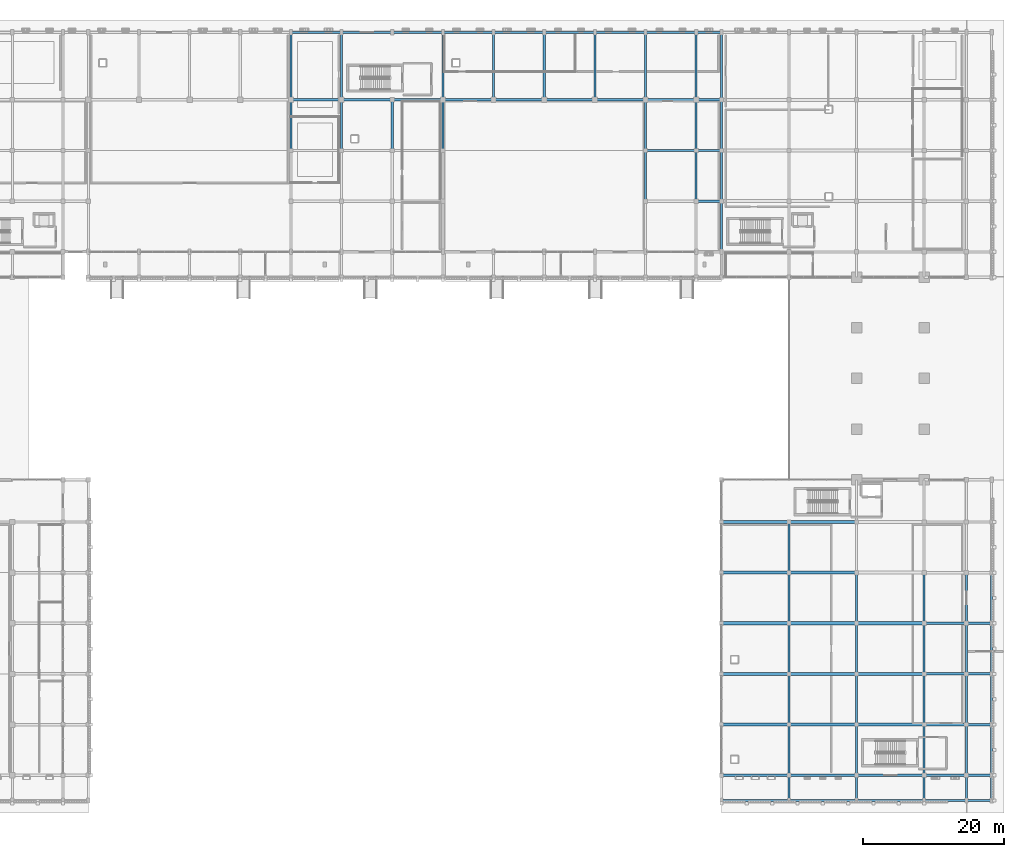
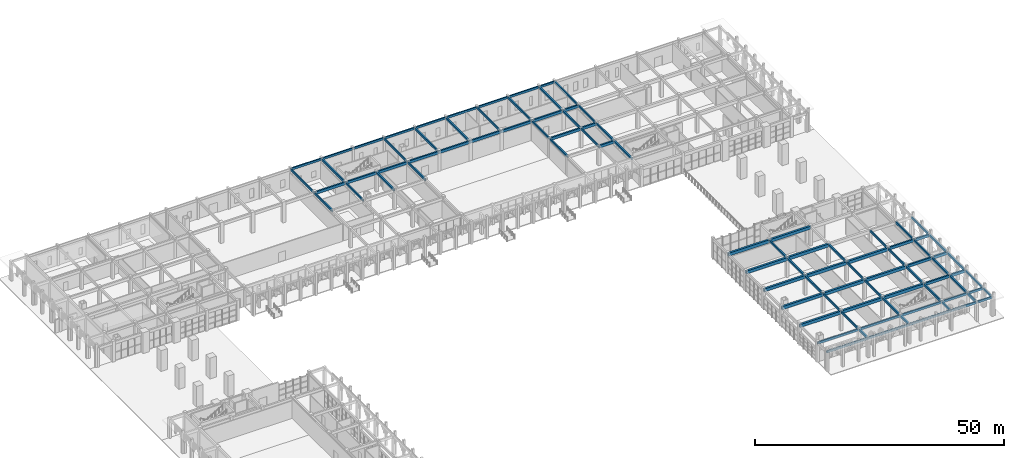
# One storey, part 18 of 72: 96 beams.
"""IFC4 building model written with IfcOpenShell, lengths in metres."""

from ifc_helpers import new_model, si_unit, direction, frame, origin, origin_2d, place, context, subcontext, project, spatial, rectangle, extrude, material, material_profile, profile_set, type_object, element, save


model = new_model("IFC4")

# Units and contexts
model_context = context("Model", 3, precision=1e-05, world=origin(), true_north=direction((0.0, 1.0)))
body_context = subcontext(model_context, "Body", "Model", "MODEL_VIEW")
ifc_project = project(units=[si_unit("LENGTHUNIT", "METRE"), si_unit("AREAUNIT", "SQUARE_METRE"), si_unit("VOLUMEUNIT", "CUBIC_METRE"), si_unit("PLANEANGLEUNIT", "RADIAN"), si_unit("MASSUNIT", "GRAM", prefix="KILO")], contexts=[model_context])

# Site, building, storey
site_placement = place(None, origin())
site = spatial("IfcSite", under=ifc_project, at=site_placement, CompositionType="ELEMENT")
building_placement = place(site_placement, origin())
building = spatial("IfcBuilding", under=site, at=building_placement, Name="Nzembalo Square Collegiate School", CompositionType="ELEMENT")
storey_placement = place(building_placement, origin())
storey = spatial("IfcBuildingStorey", under=building, at=storey_placement, Name="L00", CompositionType="ELEMENT", Elevation=0.0)

# Beams
ifc_material_1 = material(Name="Concrete C35/45", Category="concrete")
ifc_material_profile_1 = material_profile(ifc_material_1, rectangle(XDim=0.35009765625, YDim=0.64990234375, at=origin_2d()), Name="RC 350x650")
ifc_profile_set_1 = profile_set([ifc_material_profile_1], Name="Concrete C35/45")
beam_type_1 = type_object("IfcBeamType", Name="B01", PredefinedType="BEAM", material=ifc_profile_set_1)
beam_1_placement = place(storey_placement, frame((159.60009765625, 15.60009765625, 4.465087890625), z_axis=(1.0, 0.0, 0.0), x_axis=(0.0, 1.0, 0.0)))
element("IfcBeam", 1, at=beam_1_placement, inside=storey, type_object=beam_type_1, Name="Beam B01 L00", PredefinedType="BEAM", context=body_context, shape_type="SweptSolid", body=[
    extrude(rectangle(XDim=0.35009765625, YDim=0.64990234375, at=origin_2d()), origin(), (0.0, 0.0, 1.0), 6.0),
])
beam_2_placement = place(storey_placement, frame((165.60009765625, 15.60009765625, 4.465087890625), z_axis=(1.0, 0.0, 0.0), x_axis=(0.0, 1.0, 0.0)))
element("IfcBeam", 2, at=beam_2_placement, inside=storey, type_object=beam_type_1, Name="Beam B01 L00", PredefinedType="BEAM", context=body_context, shape_type="SweptSolid", body=[
    extrude(rectangle(XDim=0.35009765625, YDim=0.64990234375, at=origin_2d()), origin(), (0.0, 0.0, 1.0), 3.599853515625),
])
beam_3_placement = place(storey_placement, frame((159.60009765625, 22.800048828125, 4.465087890625), z_axis=(1.0, 0.0, 0.0), x_axis=(0.0, 1.0, 0.0)))
element("IfcBeam", 3, at=beam_3_placement, inside=storey, type_object=beam_type_1, Name="Beam B01 L00", PredefinedType="BEAM", context=body_context, shape_type="SweptSolid", body=[
    extrude(rectangle(XDim=0.35009765625, YDim=0.64990234375, at=origin_2d()), origin(), (0.0, 0.0, 1.0), 6.0),
])
beam_4_placement = place(storey_placement, frame((165.60009765625, 22.800048828125, 4.465087890625), z_axis=(1.0, 0.0, 0.0), x_axis=(0.0, 1.0, 0.0)))
element("IfcBeam", 4, at=beam_4_placement, inside=storey, type_object=beam_type_1, Name="Beam B01 L00", PredefinedType="BEAM", context=body_context, shape_type="SweptSolid", body=[
    extrude(rectangle(XDim=0.35009765625, YDim=0.64990234375, at=origin_2d()), origin(), (0.0, 0.0, 1.0), 3.599853515625),
])
beam_5_placement = place(storey_placement, frame((159.60009765625, 30.0, 4.465087890625), z_axis=(1.0, 0.0, 0.0), x_axis=(0.0, 1.0, 0.0)))
element("IfcBeam", 5, at=beam_5_placement, inside=storey, type_object=beam_type_1, Name="Beam B01 L00", PredefinedType="BEAM", context=body_context, shape_type="SweptSolid", body=[
    extrude(rectangle(XDim=0.35009765625, YDim=0.64990234375, at=origin_2d()), origin(), (0.0, 0.0, 1.0), 6.0),
])
beam_6_placement = place(storey_placement, frame((165.60009765625, 30.0, 4.465087890625), z_axis=(1.0, 0.0, 0.0), x_axis=(0.0, 1.0, 0.0)))
element("IfcBeam", 6, at=beam_6_placement, inside=storey, type_object=beam_type_1, Name="Beam B01 L00", PredefinedType="BEAM", context=body_context, shape_type="SweptSolid", body=[
    extrude(rectangle(XDim=0.35009765625, YDim=0.64990234375, at=origin_2d()), origin(), (0.0, 0.0, 1.0), 3.599853515625),
])
beam_7_placement = place(storey_placement, frame((127.199951171875, 90.0, 4.465087890625), z_axis=(1.0, 0.0, 0.0), x_axis=(0.0, 1.0, 0.0)))
element("IfcBeam", 7, at=beam_7_placement, inside=storey, type_object=beam_type_1, Name="Beam B01 L00", PredefinedType="BEAM", context=body_context, shape_type="SweptSolid", body=[
    extrude(rectangle(XDim=0.35009765625, YDim=0.64990234375, at=origin_2d()), origin(), (0.0, 0.0, 1.0), 3.60009765625),
])
beam_8_placement = place(storey_placement, frame((120.0, 97.199951171875, 4.465087890625), z_axis=(1.0, 0.0, 0.0), x_axis=(0.0, 1.0, 0.0)))
element("IfcBeam", 8, at=beam_8_placement, inside=storey, type_object=beam_type_1, Name="Beam B01 L00", PredefinedType="BEAM", context=body_context, shape_type="SweptSolid", body=[
    extrude(rectangle(XDim=0.35009765625, YDim=0.64990234375, at=origin_2d()), origin(), (0.0, 0.0, 1.0), 7.199951171875),
])
beam_9_placement = place(storey_placement, frame((127.199951171875, 97.199951171875, 4.465087890625), z_axis=(1.0, 0.0, 0.0), x_axis=(0.0, 1.0, 0.0)))
element("IfcBeam", 9, at=beam_9_placement, inside=storey, type_object=beam_type_1, Name="Beam B01 L00", PredefinedType="BEAM", context=body_context, shape_type="SweptSolid", body=[
    extrude(rectangle(XDim=0.35009765625, YDim=0.64990234375, at=origin_2d()), origin(), (0.0, 0.0, 1.0), 3.60009765625),
])
for number, where, z_axis, x_axis, name in (
    (10, (69.60009765625, 104.39990234375, 4.465087890625), (1.0, 0.0, 0.0), (0.0, 1.0, 0.0), "Beam B01 L00"),
    (11, (76.800048828125, 104.39990234375, 4.465087890625), (1.0, 0.0, 0.0), (0.0, 1.0, 0.0), "Beam B01 L00"),
    (12, (84.0, 104.39990234375, 4.465087890625), (1.0, 0.0, 0.0), (0.0, 1.0, 0.0), "Beam B01 L00"),
    (13, (91.199951171875, 104.39990234375, 4.465087890625), (1.0, 0.0, 0.0), (0.0, 1.0, 0.0), "Beam B01 L00"),
):
    element("IfcBeam", number, at=place(storey_placement, frame(where, z_axis=z_axis, x_axis=x_axis)), inside=storey, type_object=beam_type_1, Name=name, PredefinedType="BEAM", context=body_context, shape_type="SweptSolid", body=[
        extrude(rectangle(XDim=0.35009765625, YDim=0.64990234375, at=origin_2d()), origin(), (0.0, 0.0, 1.0), 7.199951171875),
    ])
beam_10_placement = place(storey_placement, frame((98.39990234375, 104.39990234375, 4.465087890625), z_axis=(1.0, 0.0, 0.0), x_axis=(0.0, 1.0, 0.0)))
element("IfcBeam", 14, at=beam_10_placement, inside=storey, type_object=beam_type_1, Name="Beam B01 L00", PredefinedType="BEAM", context=body_context, shape_type="SweptSolid", body=[
    extrude(rectangle(XDim=0.35009765625, YDim=0.64990234375, at=origin_2d()), origin(), (0.0, 0.0, 1.0), 7.2001953125),
])
for number, where, z_axis, x_axis, name in (
    (15, (105.60009765625, 104.39990234375, 4.465087890625), (1.0, 0.0, 0.0), (0.0, 1.0, 0.0), "Beam B01 L00"),
    (16, (112.800048828125, 104.39990234375, 4.465087890625), (1.0, 0.0, 0.0), (0.0, 1.0, 0.0), "Beam B01 L00"),
    (17, (120.0, 104.39990234375, 4.465087890625), (1.0, 0.0, 0.0), (0.0, 1.0, 0.0), "Beam B01 L00"),
):
    element("IfcBeam", number, at=place(storey_placement, frame(where, z_axis=z_axis, x_axis=x_axis)), inside=storey, type_object=beam_type_1, Name=name, PredefinedType="BEAM", context=body_context, shape_type="SweptSolid", body=[
        extrude(rectangle(XDim=0.35009765625, YDim=0.64990234375, at=origin_2d()), origin(), (0.0, 0.0, 1.0), 7.199951171875),
    ])
beam_11_placement = place(storey_placement, frame((127.199951171875, 104.39990234375, 4.465087890625), z_axis=(1.0, 0.0, 0.0), x_axis=(0.0, 1.0, 0.0)))
element("IfcBeam", 18, at=beam_11_placement, inside=storey, type_object=beam_type_1, Name="Beam B01 L00", PredefinedType="BEAM", context=body_context, shape_type="SweptSolid", body=[
    extrude(rectangle(XDim=0.35009765625, YDim=0.64990234375, at=origin_2d()), origin(), (0.0, 0.0, 1.0), 3.60009765625),
])
ifc_material_2 = material(Name="Concrete C35/45", Category="concrete")
ifc_material_profile_2 = material_profile(ifc_material_2, rectangle(XDim=0.300048828125, YDim=0.5, at=origin_2d()), Name="RC 300x500")
ifc_profile_set_2 = profile_set([ifc_material_profile_2], Name="Concrete C35/45")
beam_type_2 = type_object("IfcBeamType", Name="B02", PredefinedType="BEAM", material=ifc_profile_set_2)
beam_12_placement = place(storey_placement, frame((69.60009765625, 97.199951171875, 4.5400390625), z_axis=(0.0, 1.0, 0.0), x_axis=(-1.0, 0.0, 0.0)))
element("IfcBeam", 19, at=beam_12_placement, inside=storey, type_object=beam_type_2, Name="Beam B02 L00", PredefinedType="BEAM", context=body_context, shape_type="SweptSolid", body=[
    extrude(rectangle(XDim=0.300048828125, YDim=0.5, at=origin_2d()), origin(), (0.0, 0.0, 1.0), 7.199951171875),
])
beam_13_placement = place(storey_placement, frame((69.60009765625, 104.39990234375, 4.5400390625), z_axis=(0.0, 1.0, 0.0), x_axis=(-1.0, 0.0, 0.0)))
element("IfcBeam", 20, at=beam_13_placement, inside=storey, type_object=beam_type_2, Name="Beam B02 L00", PredefinedType="BEAM", context=body_context, shape_type="SweptSolid", body=[
    extrude(rectangle(XDim=0.300048828125, YDim=0.5, at=origin_2d()), origin(), (0.0, 0.0, 1.0), 9.60009765625),
])
beam_14_placement = place(storey_placement, frame((76.800048828125, 97.199951171875, 4.5400390625), z_axis=(0.0, 1.0, 0.0), x_axis=(-1.0, 0.0, 0.0)))
element("IfcBeam", 21, at=beam_14_placement, inside=storey, type_object=beam_type_2, Name="Beam B02 L00", PredefinedType="BEAM", context=body_context, shape_type="SweptSolid", body=[
    extrude(rectangle(XDim=0.300048828125, YDim=0.5, at=origin_2d()), origin(), (0.0, 0.0, 1.0), 7.199951171875),
])
beam_15_placement = place(storey_placement, frame((76.800048828125, 104.39990234375, 4.5400390625), z_axis=(0.0, 1.0, 0.0), x_axis=(-1.0, 0.0, 0.0)))
element("IfcBeam", 22, at=beam_15_placement, inside=storey, type_object=beam_type_2, Name="Beam B02 L00", PredefinedType="BEAM", context=body_context, shape_type="SweptSolid", body=[
    extrude(rectangle(XDim=0.300048828125, YDim=0.5, at=origin_2d()), origin(), (0.0, 0.0, 1.0), 9.60009765625),
])
for number, where, z_axis, x_axis, name in (
    (23, (84.0, 97.199951171875, 4.5400390625), (0.0, 1.0, 0.0), (-1.0, 0.0, 0.0), "Beam B02 L00"),
    (24, (91.199951171875, 97.199951171875, 4.5400390625), (0.0, 1.0, 0.0), (-1.0, 0.0, 0.0), "Beam B02 L00"),
):
    element("IfcBeam", number, at=place(storey_placement, frame(where, z_axis=z_axis, x_axis=x_axis)), inside=storey, type_object=beam_type_2, Name=name, PredefinedType="BEAM", context=body_context, shape_type="SweptSolid", body=[
        extrude(rectangle(XDim=0.300048828125, YDim=0.5, at=origin_2d()), origin(), (0.0, 0.0, 1.0), 7.199951171875),
    ])
for number, where, z_axis, x_axis, name in (
    (25, (91.199951171875, 104.39990234375, 4.5400390625), (0.0, 1.0, 0.0), (-1.0, 0.0, 0.0), "Beam B02 L00"),
    (26, (98.39990234375, 104.39990234375, 4.5400390625), (0.0, 1.0, 0.0), (-1.0, 0.0, 0.0), "Beam B02 L00"),
    (27, (105.60009765625, 104.39990234375, 4.5400390625), (0.0, 1.0, 0.0), (-1.0, 0.0, 0.0), "Beam B02 L00"),
    (28, (112.800048828125, 104.39990234375, 4.5400390625), (0.0, 1.0, 0.0), (-1.0, 0.0, 0.0), "Beam B02 L00"),
):
    element("IfcBeam", number, at=place(storey_placement, frame(where, z_axis=z_axis, x_axis=x_axis)), inside=storey, type_object=beam_type_2, Name=name, PredefinedType="BEAM", context=body_context, shape_type="SweptSolid", body=[
        extrude(rectangle(XDim=0.300048828125, YDim=0.5, at=origin_2d()), origin(), (0.0, 0.0, 1.0), 9.60009765625),
    ])
for number, where, z_axis, x_axis, name in (
    (29, (120.0, 90.0, 4.5400390625), (0.0, 1.0, 0.0), (-1.0, 0.0, 0.0), "Beam B02 L00"),
    (30, (120.0, 97.199951171875, 4.5400390625), (0.0, 1.0, 0.0), (-1.0, 0.0, 0.0), "Beam B02 L00"),
):
    element("IfcBeam", number, at=place(storey_placement, frame(where, z_axis=z_axis, x_axis=x_axis)), inside=storey, type_object=beam_type_2, Name=name, PredefinedType="BEAM", context=body_context, shape_type="SweptSolid", body=[
        extrude(rectangle(XDim=0.300048828125, YDim=0.5, at=origin_2d()), origin(), (0.0, 0.0, 1.0), 7.199951171875),
    ])
beam_16_placement = place(storey_placement, frame((120.0, 104.39990234375, 4.5400390625), z_axis=(0.0, 1.0, 0.0), x_axis=(-1.0, 0.0, 0.0)))
element("IfcBeam", 31, at=beam_16_placement, inside=storey, type_object=beam_type_2, Name="Beam B02 L00", PredefinedType="BEAM", context=body_context, shape_type="SweptSolid", body=[
    extrude(rectangle(XDim=0.300048828125, YDim=0.5, at=origin_2d()), origin(), (0.0, 0.0, 1.0), 9.60009765625),
])
for number, where, z_axis, x_axis, name in (
    (32, (127.199951171875, 90.0, 4.5400390625), (0.0, 1.0, 0.0), (-1.0, 0.0, 0.0), "Beam B02 L00"),
    (33, (127.199951171875, 97.199951171875, 4.5400390625), (0.0, 1.0, 0.0), (-1.0, 0.0, 0.0), "Beam B02 L00"),
):
    element("IfcBeam", number, at=place(storey_placement, frame(where, z_axis=z_axis, x_axis=x_axis)), inside=storey, type_object=beam_type_2, Name=name, PredefinedType="BEAM", context=body_context, shape_type="SweptSolid", body=[
        extrude(rectangle(XDim=0.300048828125, YDim=0.5, at=origin_2d()), origin(), (0.0, 0.0, 1.0), 7.199951171875),
    ])
beam_17_placement = place(storey_placement, frame((127.199951171875, 104.39990234375, 4.5400390625), z_axis=(0.0, 1.0, 0.0), x_axis=(-1.0, 0.0, 0.0)))
element("IfcBeam", 34, at=beam_17_placement, inside=storey, type_object=beam_type_2, Name="Beam B02 L00", PredefinedType="BEAM", context=body_context, shape_type="SweptSolid", body=[
    extrude(rectangle(XDim=0.300048828125, YDim=0.5, at=origin_2d()), origin(), (0.0, 0.0, 1.0), 9.60009765625),
])
beam_18_placement = place(storey_placement, frame((140.39990234375, 4.800048828125, 4.5400390625), z_axis=(0.0, 1.0, 0.0), x_axis=(-1.0, 0.0, 0.0)))
element("IfcBeam", 35, at=beam_18_placement, inside=storey, type_object=beam_type_2, Name="Beam B02 L00", PredefinedType="BEAM", context=body_context, shape_type="SweptSolid", body=[
    extrude(rectangle(XDim=0.300048828125, YDim=0.5, at=origin_2d()), origin(), (0.0, 0.0, 1.0), 3.599853515625),
])
beam_19_placement = place(storey_placement, frame((140.39990234375, 8.39990234375, 4.5400390625), z_axis=(0.0, 1.0, 0.0), x_axis=(-1.0, 0.0, 0.0)))
element("IfcBeam", 36, at=beam_19_placement, inside=storey, type_object=beam_type_2, Name="Beam B02 L00", PredefinedType="BEAM", context=body_context, shape_type="SweptSolid", body=[
    extrude(rectangle(XDim=0.300048828125, YDim=0.5, at=origin_2d()), origin(), (0.0, 0.0, 1.0), 7.2001953125),
])
for number, where, z_axis, x_axis, name in (
    (37, (140.39990234375, 15.60009765625, 4.5400390625), (0.0, 1.0, 0.0), (-1.0, 0.0, 0.0), "Beam B02 L00"),
    (38, (140.39990234375, 22.800048828125, 4.5400390625), (0.0, 1.0, 0.0), (-1.0, 0.0, 0.0), "Beam B02 L00"),
    (39, (140.39990234375, 30.0, 4.5400390625), (0.0, 1.0, 0.0), (-1.0, 0.0, 0.0), "Beam B02 L00"),
    (40, (140.39990234375, 37.199951171875, 4.5400390625), (0.0, 1.0, 0.0), (-1.0, 0.0, 0.0), "Beam B02 L00"),
):
    element("IfcBeam", number, at=place(storey_placement, frame(where, z_axis=z_axis, x_axis=x_axis)), inside=storey, type_object=beam_type_2, Name=name, PredefinedType="BEAM", context=body_context, shape_type="SweptSolid", body=[
        extrude(rectangle(XDim=0.300048828125, YDim=0.5, at=origin_2d()), origin(), (0.0, 0.0, 1.0), 7.199951171875),
    ])
beam_20_placement = place(storey_placement, frame((150.0, 4.800048828125, 4.5400390625), z_axis=(0.0, 1.0, 0.0), x_axis=(-1.0, 0.0, 0.0)))
element("IfcBeam", 41, at=beam_20_placement, inside=storey, type_object=beam_type_2, Name="Beam B02 L00", PredefinedType="BEAM", context=body_context, shape_type="SweptSolid", body=[
    extrude(rectangle(XDim=0.300048828125, YDim=0.5, at=origin_2d()), origin(), (0.0, 0.0, 1.0), 3.599853515625),
])
beam_21_placement = place(storey_placement, frame((150.0, 8.39990234375, 4.5400390625), z_axis=(0.0, 1.0, 0.0), x_axis=(-1.0, 0.0, 0.0)))
element("IfcBeam", 42, at=beam_21_placement, inside=storey, type_object=beam_type_2, Name="Beam B02 L00", PredefinedType="BEAM", context=body_context, shape_type="SweptSolid", body=[
    extrude(rectangle(XDim=0.300048828125, YDim=0.5, at=origin_2d()), origin(), (0.0, 0.0, 1.0), 7.2001953125),
])
for number, where, z_axis, x_axis, name in (
    (43, (150.0, 15.60009765625, 4.5400390625), (0.0, 1.0, 0.0), (-1.0, 0.0, 0.0), "Beam B02 L00"),
    (44, (150.0, 22.800048828125, 4.5400390625), (0.0, 1.0, 0.0), (-1.0, 0.0, 0.0), "Beam B02 L00"),
    (45, (150.0, 30.0, 4.5400390625), (0.0, 1.0, 0.0), (-1.0, 0.0, 0.0), "Beam B02 L00"),
):
    element("IfcBeam", number, at=place(storey_placement, frame(where, z_axis=z_axis, x_axis=x_axis)), inside=storey, type_object=beam_type_2, Name=name, PredefinedType="BEAM", context=body_context, shape_type="SweptSolid", body=[
        extrude(rectangle(XDim=0.300048828125, YDim=0.5, at=origin_2d()), origin(), (0.0, 0.0, 1.0), 7.199951171875),
    ])
beam_22_placement = place(storey_placement, frame((159.60009765625, 4.800048828125, 4.5400390625), z_axis=(0.0, 1.0, 0.0), x_axis=(-1.0, 0.0, 0.0)))
element("IfcBeam", 46, at=beam_22_placement, inside=storey, type_object=beam_type_2, Name="Beam B02 L00", PredefinedType="BEAM", context=body_context, shape_type="SweptSolid", body=[
    extrude(rectangle(XDim=0.300048828125, YDim=0.5, at=origin_2d()), origin(), (0.0, 0.0, 1.0), 3.599853515625),
])
beam_23_placement = place(storey_placement, frame((159.60009765625, 8.39990234375, 4.5400390625), z_axis=(0.0, 1.0, 0.0), x_axis=(-1.0, 0.0, 0.0)))
element("IfcBeam", 47, at=beam_23_placement, inside=storey, type_object=beam_type_2, Name="Beam B02 L00", PredefinedType="BEAM", context=body_context, shape_type="SweptSolid", body=[
    extrude(rectangle(XDim=0.300048828125, YDim=0.5, at=origin_2d()), origin(), (0.0, 0.0, 1.0), 7.2001953125),
])
for number, where, z_axis, x_axis, name in (
    (48, (159.60009765625, 15.60009765625, 4.5400390625), (0.0, 1.0, 0.0), (-1.0, 0.0, 0.0), "Beam B02 L00"),
    (49, (159.60009765625, 22.800048828125, 4.5400390625), (0.0, 1.0, 0.0), (-1.0, 0.0, 0.0), "Beam B02 L00"),
    (50, (159.60009765625, 30.0, 4.5400390625), (0.0, 1.0, 0.0), (-1.0, 0.0, 0.0), "Beam B02 L00"),
):
    element("IfcBeam", number, at=place(storey_placement, frame(where, z_axis=z_axis, x_axis=x_axis)), inside=storey, type_object=beam_type_2, Name=name, PredefinedType="BEAM", context=body_context, shape_type="SweptSolid", body=[
        extrude(rectangle(XDim=0.300048828125, YDim=0.5, at=origin_2d()), origin(), (0.0, 0.0, 1.0), 7.199951171875),
    ])
ifc_material_3 = material(Name="Concrete C35/45", Category="concrete")
ifc_material_profile_3 = material_profile(ifc_material_3, rectangle(XDim=0.300048828125, YDim=0.5, at=origin_2d()), Name="RC 300x500")
ifc_profile_set_3 = profile_set([ifc_material_profile_3], Name="Concrete C35/45")
beam_type_3 = type_object("IfcBeamType", Name="SP01", PredefinedType="SPANDREL", material=ifc_profile_set_3)
beam_24_placement = place(storey_placement, frame((130.800048828125, 4.800048828125, 4.5400390625), z_axis=(1.0, 0.0, 0.0), x_axis=(0.0, 1.0, 0.0)))
element("IfcBeam", 51, at=beam_24_placement, inside=storey, type_object=beam_type_3, Name="Beam SP01 L00", PredefinedType="SPANDREL", context=body_context, shape_type="SweptSolid", body=[
    extrude(rectangle(XDim=0.300048828125, YDim=0.5, at=origin_2d()), origin(), (0.0, 0.0, 1.0), 9.599853515625),
])
for number, where, z_axis, x_axis, name in (
    (52, (140.39990234375, 4.800048828125, 4.5400390625), (1.0, 0.0, 0.0), (0.0, 1.0, 0.0), "Beam SP01 L00"),
    (53, (150.0, 4.800048828125, 4.5400390625), (1.0, 0.0, 0.0), (0.0, 1.0, 0.0), "Beam SP01 L00"),
):
    element("IfcBeam", number, at=place(storey_placement, frame(where, z_axis=z_axis, x_axis=x_axis)), inside=storey, type_object=beam_type_3, Name=name, PredefinedType="SPANDREL", context=body_context, shape_type="SweptSolid", body=[
        extrude(rectangle(XDim=0.300048828125, YDim=0.5, at=origin_2d()), origin(), (0.0, 0.0, 1.0), 9.60009765625),
    ])
beam_25_placement = place(storey_placement, frame((159.60009765625, 4.800048828125, 4.5400390625), z_axis=(1.0, 0.0, 0.0), x_axis=(0.0, 1.0, 0.0)))
element("IfcBeam", 54, at=beam_25_placement, inside=storey, type_object=beam_type_3, Name="Beam SP01 L00", PredefinedType="SPANDREL", context=body_context, shape_type="SweptSolid", body=[
    extrude(rectangle(XDim=0.300048828125, YDim=0.5, at=origin_2d()), origin(), (0.0, 0.0, 1.0), 6.0),
])
beam_26_placement = place(storey_placement, frame((165.60009765625, 4.800048828125, 4.5400390625), z_axis=(1.0, 0.0, 0.0), x_axis=(0.0, 1.0, 0.0)))
element("IfcBeam", 55, at=beam_26_placement, inside=storey, type_object=beam_type_3, Name="Beam SP01 L00", PredefinedType="SPANDREL", context=body_context, shape_type="SweptSolid", body=[
    extrude(rectangle(XDim=0.300048828125, YDim=0.5, at=origin_2d()), origin(), (0.0, 0.0, 1.0), 3.599853515625),
])
beam_27_placement = place(storey_placement, frame((130.800048828125, 8.39990234375, 4.5400390625), z_axis=(1.0, 0.0, 0.0), x_axis=(0.0, 1.0, 0.0)))
element("IfcBeam", 56, at=beam_27_placement, inside=storey, type_object=beam_type_3, Name="Beam SP01 L00", PredefinedType="SPANDREL", context=body_context, shape_type="SweptSolid", body=[
    extrude(rectangle(XDim=0.300048828125, YDim=0.5, at=origin_2d()), origin(), (0.0, 0.0, 1.0), 9.599853515625),
])
for number, where, z_axis, x_axis, name in (
    (57, (140.39990234375, 8.39990234375, 4.5400390625), (1.0, 0.0, 0.0), (0.0, 1.0, 0.0), "Beam SP01 L00"),
    (58, (150.0, 8.39990234375, 4.5400390625), (1.0, 0.0, 0.0), (0.0, 1.0, 0.0), "Beam SP01 L00"),
):
    element("IfcBeam", number, at=place(storey_placement, frame(where, z_axis=z_axis, x_axis=x_axis)), inside=storey, type_object=beam_type_3, Name=name, PredefinedType="SPANDREL", context=body_context, shape_type="SweptSolid", body=[
        extrude(rectangle(XDim=0.300048828125, YDim=0.5, at=origin_2d()), origin(), (0.0, 0.0, 1.0), 9.60009765625),
    ])
beam_28_placement = place(storey_placement, frame((159.60009765625, 8.39990234375, 4.5400390625), z_axis=(1.0, 0.0, 0.0), x_axis=(0.0, 1.0, 0.0)))
element("IfcBeam", 59, at=beam_28_placement, inside=storey, type_object=beam_type_3, Name="Beam SP01 L00", PredefinedType="SPANDREL", context=body_context, shape_type="SweptSolid", body=[
    extrude(rectangle(XDim=0.300048828125, YDim=0.5, at=origin_2d()), origin(), (0.0, 0.0, 1.0), 6.0),
])
beam_29_placement = place(storey_placement, frame((165.60009765625, 8.39990234375, 4.5400390625), z_axis=(1.0, 0.0, 0.0), x_axis=(0.0, 1.0, 0.0)))
element("IfcBeam", 60, at=beam_29_placement, inside=storey, type_object=beam_type_3, Name="Beam SP01 L00", PredefinedType="SPANDREL", context=body_context, shape_type="SweptSolid", body=[
    extrude(rectangle(XDim=0.300048828125, YDim=0.5, at=origin_2d()), origin(), (0.0, 0.0, 1.0), 3.599853515625),
])
for number, where, z_axis, x_axis, name in (
    (61, (69.60009765625, 114.0, 4.5400390625), (1.0, 0.0, 0.0), (0.0, 1.0, 0.0), "Beam SP01 L00"),
    (62, (76.800048828125, 114.0, 4.5400390625), (1.0, 0.0, 0.0), (0.0, 1.0, 0.0), "Beam SP01 L00"),
    (63, (84.0, 114.0, 4.5400390625), (1.0, 0.0, 0.0), (0.0, 1.0, 0.0), "Beam SP01 L00"),
    (64, (91.199951171875, 114.0, 4.5400390625), (1.0, 0.0, 0.0), (0.0, 1.0, 0.0), "Beam SP01 L00"),
):
    element("IfcBeam", number, at=place(storey_placement, frame(where, z_axis=z_axis, x_axis=x_axis)), inside=storey, type_object=beam_type_3, Name=name, PredefinedType="SPANDREL", context=body_context, shape_type="SweptSolid", body=[
        extrude(rectangle(XDim=0.300048828125, YDim=0.5, at=origin_2d()), origin(), (0.0, 0.0, 1.0), 7.199951171875),
    ])
beam_30_placement = place(storey_placement, frame((98.39990234375, 114.0, 4.5400390625), z_axis=(1.0, 0.0, 0.0), x_axis=(0.0, 1.0, 0.0)))
element("IfcBeam", 65, at=beam_30_placement, inside=storey, type_object=beam_type_3, Name="Beam SP01 L00", PredefinedType="SPANDREL", context=body_context, shape_type="SweptSolid", body=[
    extrude(rectangle(XDim=0.300048828125, YDim=0.5, at=origin_2d()), origin(), (0.0, 0.0, 1.0), 7.2001953125),
])
for number, where, z_axis, x_axis, name in (
    (66, (105.60009765625, 114.0, 4.5400390625), (1.0, 0.0, 0.0), (0.0, 1.0, 0.0), "Beam SP01 L00"),
    (67, (112.800048828125, 114.0, 4.5400390625), (1.0, 0.0, 0.0), (0.0, 1.0, 0.0), "Beam SP01 L00"),
    (68, (120.0, 114.0, 4.5400390625), (1.0, 0.0, 0.0), (0.0, 1.0, 0.0), "Beam SP01 L00"),
):
    element("IfcBeam", number, at=place(storey_placement, frame(where, z_axis=z_axis, x_axis=x_axis)), inside=storey, type_object=beam_type_3, Name=name, PredefinedType="SPANDREL", context=body_context, shape_type="SweptSolid", body=[
        extrude(rectangle(XDim=0.300048828125, YDim=0.5, at=origin_2d()), origin(), (0.0, 0.0, 1.0), 7.199951171875),
    ])
beam_31_placement = place(storey_placement, frame((127.199951171875, 114.0, 4.5400390625), z_axis=(1.0, 0.0, 0.0), x_axis=(0.0, 1.0, 0.0)))
element("IfcBeam", 69, at=beam_31_placement, inside=storey, type_object=beam_type_3, Name="Beam SP01 L00", PredefinedType="SPANDREL", context=body_context, shape_type="SweptSolid", body=[
    extrude(rectangle(XDim=0.300048828125, YDim=0.5, at=origin_2d()), origin(), (0.0, 0.0, 1.0), 3.60009765625),
])
for number, where, z_axis, x_axis, name in (
    (70, (130.800048828125, 82.800048828125, 4.5400390625), (0.0, 1.0, 0.0), (-1.0, 0.0, 0.0), "Beam SP01 L00"),
    (71, (130.800048828125, 90.0, 4.5400390625), (0.0, 1.0, 0.0), (-1.0, 0.0, 0.0), "Beam SP01 L00"),
    (72, (130.800048828125, 97.199951171875, 4.5400390625), (0.0, 1.0, 0.0), (-1.0, 0.0, 0.0), "Beam SP01 L00"),
):
    element("IfcBeam", number, at=place(storey_placement, frame(where, z_axis=z_axis, x_axis=x_axis)), inside=storey, type_object=beam_type_3, Name=name, PredefinedType="SPANDREL", context=body_context, shape_type="SweptSolid", body=[
        extrude(rectangle(XDim=0.300048828125, YDim=0.5, at=origin_2d()), origin(), (0.0, 0.0, 1.0), 7.199951171875),
    ])
beam_32_placement = place(storey_placement, frame((130.800048828125, 104.39990234375, 4.5400390625), z_axis=(0.0, 1.0, 0.0), x_axis=(-1.0, 0.0, 0.0)))
element("IfcBeam", 73, at=beam_32_placement, inside=storey, type_object=beam_type_3, Name="Beam SP01 L00", PredefinedType="SPANDREL", context=body_context, shape_type="SweptSolid", body=[
    extrude(rectangle(XDim=0.300048828125, YDim=0.5, at=origin_2d()), origin(), (0.0, 0.0, 1.0), 9.60009765625),
])
beam_33_placement = place(storey_placement, frame((165.60009765625, 4.800048828125, 4.5400390625), z_axis=(0.0, 1.0, 0.0), x_axis=(-1.0, 0.0, 0.0)))
element("IfcBeam", 74, at=beam_33_placement, inside=storey, type_object=beam_type_3, Name="Beam SP01 L00", PredefinedType="SPANDREL", context=body_context, shape_type="SweptSolid", body=[
    extrude(rectangle(XDim=0.300048828125, YDim=0.5, at=origin_2d()), origin(), (0.0, 0.0, 1.0), 3.599853515625),
])
beam_34_placement = place(storey_placement, frame((165.60009765625, 8.39990234375, 4.5400390625), z_axis=(0.0, 1.0, 0.0), x_axis=(-1.0, 0.0, 0.0)))
element("IfcBeam", 75, at=beam_34_placement, inside=storey, type_object=beam_type_3, Name="Beam SP01 L00", PredefinedType="SPANDREL", context=body_context, shape_type="SweptSolid", body=[
    extrude(rectangle(XDim=0.300048828125, YDim=0.5, at=origin_2d()), origin(), (0.0, 0.0, 1.0), 7.2001953125),
])
for number, where, z_axis, x_axis, name in (
    (76, (165.60009765625, 15.60009765625, 4.5400390625), (0.0, 1.0, 0.0), (-1.0, 0.0, 0.0), "Beam SP01 L00"),
    (77, (165.60009765625, 22.800048828125, 4.5400390625), (0.0, 1.0, 0.0), (-1.0, 0.0, 0.0), "Beam SP01 L00"),
    (78, (165.60009765625, 30.0, 4.5400390625), (0.0, 1.0, 0.0), (-1.0, 0.0, 0.0), "Beam SP01 L00"),
):
    element("IfcBeam", number, at=place(storey_placement, frame(where, z_axis=z_axis, x_axis=x_axis)), inside=storey, type_object=beam_type_3, Name=name, PredefinedType="SPANDREL", context=body_context, shape_type="SweptSolid", body=[
        extrude(rectangle(XDim=0.300048828125, YDim=0.5, at=origin_2d()), origin(), (0.0, 0.0, 1.0), 7.199951171875),
    ])
beam_35_placement = place(storey_placement, frame((169.199951171875, 4.800048828125, 4.5400390625), z_axis=(0.0, 1.0, 0.0), x_axis=(-1.0, 0.0, 0.0)))
element("IfcBeam", 79, at=beam_35_placement, inside=storey, type_object=beam_type_3, Name="Beam SP01 L00", PredefinedType="SPANDREL", context=body_context, shape_type="SweptSolid", body=[
    extrude(rectangle(XDim=0.300048828125, YDim=0.5, at=origin_2d()), origin(), (0.0, 0.0, 1.0), 3.599853515625),
])
beam_36_placement = place(storey_placement, frame((169.199951171875, 8.39990234375, 4.5400390625), z_axis=(0.0, 1.0, 0.0), x_axis=(-1.0, 0.0, 0.0)))
element("IfcBeam", 80, at=beam_36_placement, inside=storey, type_object=beam_type_3, Name="Beam SP01 L00", PredefinedType="SPANDREL", context=body_context, shape_type="SweptSolid", body=[
    extrude(rectangle(XDim=0.300048828125, YDim=0.5, at=origin_2d()), origin(), (0.0, 0.0, 1.0), 7.2001953125),
])
for number, where, z_axis, x_axis, name in (
    (81, (169.199951171875, 15.60009765625, 4.5400390625), (0.0, 1.0, 0.0), (-1.0, 0.0, 0.0), "Beam SP01 L00"),
    (82, (169.199951171875, 22.800048828125, 4.5400390625), (0.0, 1.0, 0.0), (-1.0, 0.0, 0.0), "Beam SP01 L00"),
    (83, (169.199951171875, 30.0, 4.5400390625), (0.0, 1.0, 0.0), (-1.0, 0.0, 0.0), "Beam SP01 L00"),
):
    element("IfcBeam", number, at=place(storey_placement, frame(where, z_axis=z_axis, x_axis=x_axis)), inside=storey, type_object=beam_type_3, Name=name, PredefinedType="SPANDREL", context=body_context, shape_type="SweptSolid", body=[
        extrude(rectangle(XDim=0.300048828125, YDim=0.5, at=origin_2d()), origin(), (0.0, 0.0, 1.0), 7.199951171875),
    ])
ifc_material_4 = material(Name="Concrete C35/45", Category="concrete")
ifc_material_profile_4 = material_profile(ifc_material_4, rectangle(XDim=0.449951171875, YDim=0.75, at=origin_2d()), Name="RC 450x750")
ifc_profile_set_4 = profile_set([ifc_material_profile_4], Name="Concrete C35/45")
beam_type_4 = type_object("IfcBeamType", Name="TG01", PredefinedType="BEAM", material=ifc_profile_set_4)
beam_37_placement = place(storey_placement, frame((130.800048828125, 15.60009765625, 4.4150390625), z_axis=(1.0, 0.0, 0.0), x_axis=(0.0, 1.0, 0.0)))
element("IfcBeam", 84, at=beam_37_placement, inside=storey, type_object=beam_type_4, Name="Beam TG01 L00", PredefinedType="BEAM", context=body_context, shape_type="SweptSolid", body=[
    extrude(rectangle(XDim=0.449951171875, YDim=0.75, at=origin_2d()), origin(), (0.0, 0.0, 1.0), 9.599853515625),
])
for number, where, z_axis, x_axis, name in (
    (85, (140.39990234375, 15.60009765625, 4.4150390625), (1.0, 0.0, 0.0), (0.0, 1.0, 0.0), "Beam TG01 L00"),
    (86, (150.0, 15.60009765625, 4.4150390625), (1.0, 0.0, 0.0), (0.0, 1.0, 0.0), "Beam TG01 L00"),
):
    element("IfcBeam", number, at=place(storey_placement, frame(where, z_axis=z_axis, x_axis=x_axis)), inside=storey, type_object=beam_type_4, Name=name, PredefinedType="BEAM", context=body_context, shape_type="SweptSolid", body=[
        extrude(rectangle(XDim=0.449951171875, YDim=0.75, at=origin_2d()), origin(), (0.0, 0.0, 1.0), 9.60009765625),
    ])
beam_38_placement = place(storey_placement, frame((130.800048828125, 22.800048828125, 4.4150390625), z_axis=(1.0, 0.0, 0.0), x_axis=(0.0, 1.0, 0.0)))
element("IfcBeam", 87, at=beam_38_placement, inside=storey, type_object=beam_type_4, Name="Beam TG01 L00", PredefinedType="BEAM", context=body_context, shape_type="SweptSolid", body=[
    extrude(rectangle(XDim=0.449951171875, YDim=0.75, at=origin_2d()), origin(), (0.0, 0.0, 1.0), 9.599853515625),
])
for number, where, z_axis, x_axis, name in (
    (88, (140.39990234375, 22.800048828125, 4.4150390625), (1.0, 0.0, 0.0), (0.0, 1.0, 0.0), "Beam TG01 L00"),
    (89, (150.0, 22.800048828125, 4.4150390625), (1.0, 0.0, 0.0), (0.0, 1.0, 0.0), "Beam TG01 L00"),
):
    element("IfcBeam", number, at=place(storey_placement, frame(where, z_axis=z_axis, x_axis=x_axis)), inside=storey, type_object=beam_type_4, Name=name, PredefinedType="BEAM", context=body_context, shape_type="SweptSolid", body=[
        extrude(rectangle(XDim=0.449951171875, YDim=0.75, at=origin_2d()), origin(), (0.0, 0.0, 1.0), 9.60009765625),
    ])
beam_39_placement = place(storey_placement, frame((130.800048828125, 30.0, 4.4150390625), z_axis=(1.0, 0.0, 0.0), x_axis=(0.0, 1.0, 0.0)))
element("IfcBeam", 90, at=beam_39_placement, inside=storey, type_object=beam_type_4, Name="Beam TG01 L00", PredefinedType="BEAM", context=body_context, shape_type="SweptSolid", body=[
    extrude(rectangle(XDim=0.449951171875, YDim=0.75, at=origin_2d()), origin(), (0.0, 0.0, 1.0), 9.599853515625),
])
for number, where, z_axis, x_axis, name in (
    (91, (140.39990234375, 30.0, 4.4150390625), (1.0, 0.0, 0.0), (0.0, 1.0, 0.0), "Beam TG01 L00"),
    (92, (150.0, 30.0, 4.4150390625), (1.0, 0.0, 0.0), (0.0, 1.0, 0.0), "Beam TG01 L00"),
):
    element("IfcBeam", number, at=place(storey_placement, frame(where, z_axis=z_axis, x_axis=x_axis)), inside=storey, type_object=beam_type_4, Name=name, PredefinedType="BEAM", context=body_context, shape_type="SweptSolid", body=[
        extrude(rectangle(XDim=0.449951171875, YDim=0.75, at=origin_2d()), origin(), (0.0, 0.0, 1.0), 9.60009765625),
    ])
beam_40_placement = place(storey_placement, frame((130.800048828125, 37.199951171875, 4.4150390625), z_axis=(1.0, 0.0, 0.0), x_axis=(0.0, 1.0, 0.0)))
element("IfcBeam", 93, at=beam_40_placement, inside=storey, type_object=beam_type_4, Name="Beam TG01 L00", PredefinedType="BEAM", context=body_context, shape_type="SweptSolid", body=[
    extrude(rectangle(XDim=0.449951171875, YDim=0.75, at=origin_2d()), origin(), (0.0, 0.0, 1.0), 9.599853515625),
])
beam_41_placement = place(storey_placement, frame((140.39990234375, 37.199951171875, 4.4150390625), z_axis=(1.0, 0.0, 0.0), x_axis=(0.0, 1.0, 0.0)))
element("IfcBeam", 94, at=beam_41_placement, inside=storey, type_object=beam_type_4, Name="Beam TG01 L00", PredefinedType="BEAM", context=body_context, shape_type="SweptSolid", body=[
    extrude(rectangle(XDim=0.449951171875, YDim=0.75, at=origin_2d()), origin(), (0.0, 0.0, 1.0), 9.60009765625),
])
beam_42_placement = place(storey_placement, frame((130.800048828125, 44.39990234375, 4.4150390625), z_axis=(1.0, 0.0, 0.0), x_axis=(0.0, 1.0, 0.0)))
element("IfcBeam", 95, at=beam_42_placement, inside=storey, type_object=beam_type_4, Name="Beam TG01 L00", PredefinedType="BEAM", context=body_context, shape_type="SweptSolid", body=[
    extrude(rectangle(XDim=0.449951171875, YDim=0.75, at=origin_2d()), origin(), (0.0, 0.0, 1.0), 9.599853515625),
])
beam_43_placement = place(storey_placement, frame((140.39990234375, 44.39990234375, 4.4150390625), z_axis=(1.0, 0.0, 0.0), x_axis=(0.0, 1.0, 0.0)))
element("IfcBeam", 96, at=beam_43_placement, inside=storey, type_object=beam_type_4, Name="Beam TG01 L00", PredefinedType="BEAM", context=body_context, shape_type="SweptSolid", body=[
    extrude(rectangle(XDim=0.449951171875, YDim=0.75, at=origin_2d()), origin(), (0.0, 0.0, 1.0), 9.60009765625),
])

save(model, "model.ifc")
